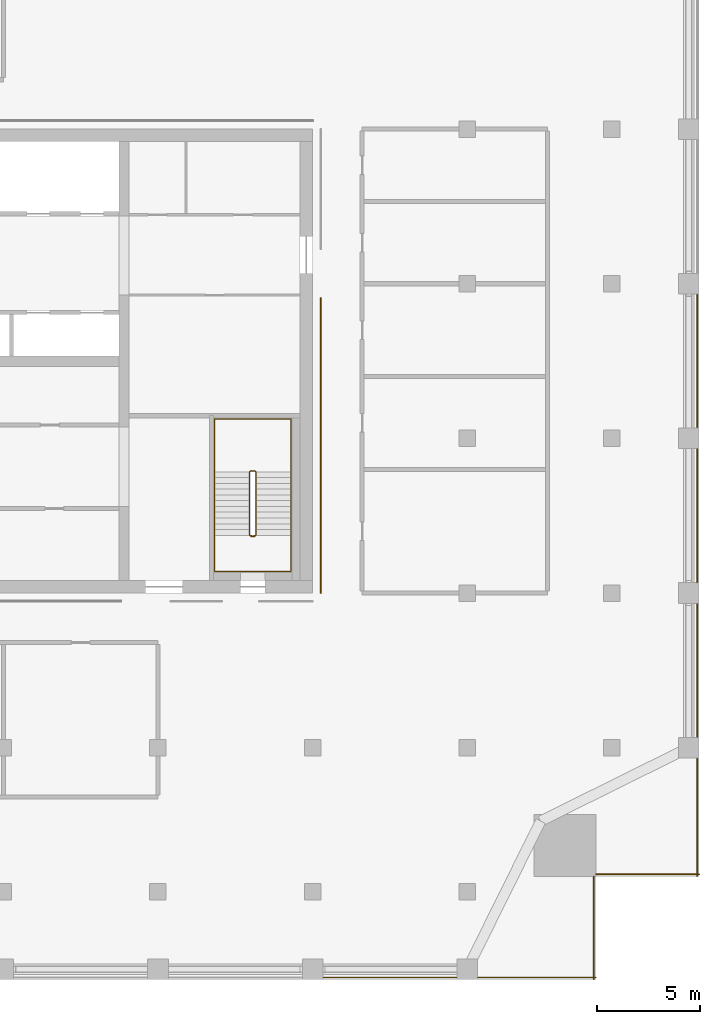
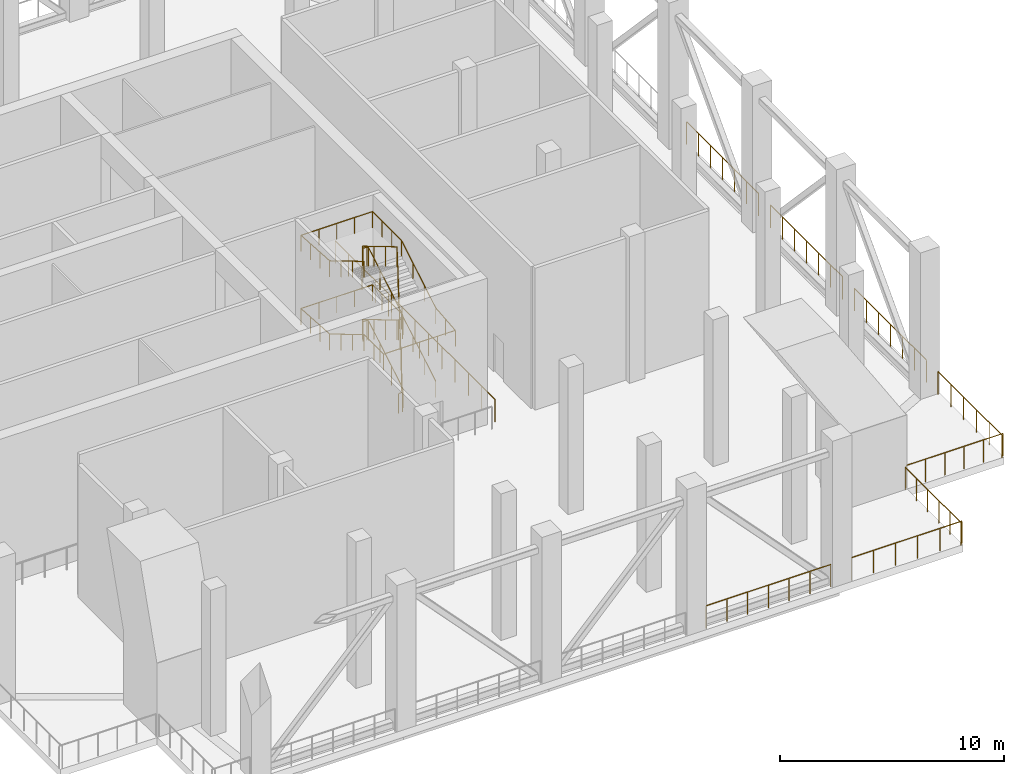
# One storey, part 9 of 11: 11 railings.
"""IFC4 building model written with IfcOpenShell, lengths in metres."""

import ifcopenshell
import ifcopenshell.guid

model = None  # the IFC model being written
_history = None  # IfcOwnerHistory: only IFC2X3 demands one
_inside = {}  # id of a spatial element -> (the spatial element, [elements in it])
_under = {}  # id of a project, library or spatial element -> (it, [spatial elements below it])
_declared = {}  # id of a project -> (the project, [libraries it declares])
_typed = {}  # id of a type object -> (the type object, [elements of that type])
_made_of = {}  # id of a material, layer set ... -> (it, [elements and type objects made of it])


def new_model(schema):
    """Start an empty IFC model of exactly this schema.

    Asked for "IFC4X3", IfcOpenShell would pick the latest addendum, in which some entities
    have other attributes; the version numbers below select the first issue.
    IFC2X3 requires an IfcOwnerHistory on every rooted entity: one is made here for all.
    """
    global model, _history
    if schema == "IFC4X3":
        model = ifcopenshell.file(schema_version=(4, 3, 0, 0))
    else:
        model = ifcopenshell.file(schema=schema)
    _inside.clear()
    _under.clear()
    _declared.clear()
    _typed.clear()
    _made_of.clear()
    _history = None
    if model.schema == "IFC2X3":
        org = make("IfcOrganization", Name="unknown")
        user = make(
            "IfcPersonAndOrganization",
            ThePerson=make("IfcPerson", FamilyName="unknown"),
            TheOrganization=org,
        )
        app = make(
            "IfcApplication",
            ApplicationDeveloper=org,
            Version="unknown",
            ApplicationFullName="unknown",
            ApplicationIdentifier="unknown",
        )
        _history = make(
            "IfcOwnerHistory",
            OwningUser=user,
            OwningApplication=app,
            ChangeAction="ADDED",
            CreationDate=0,
        )
    return model


def make(cls, **values):
    """One entity of the class cls with the attributes given. An attribute that is None is left unset."""
    return model.create_entity(
        cls, **{name: value for name, value in values.items() if value is not None}
    )


def rooted(cls, **values):
    """An entity with a GlobalId (a new one), such as an element, a storey or a relation."""
    return make(cls, GlobalId=ifcopenshell.guid.new(), OwnerHistory=_history, **values)


def si_unit(unit_type, name, prefix=None):
    """IfcSIUnit, for example si_unit("LENGTHUNIT", "METRE", prefix="MILLI")."""
    return make("IfcSIUnit", UnitType=unit_type, Prefix=prefix, Name=name)


def assignment(units):
    """IfcUnitAssignment: the units of a project."""
    return None if units is None else make("IfcUnitAssignment", Units=units)


def point(xyz):
    """IfcCartesianPoint."""
    return None if xyz is None else make("IfcCartesianPoint", Coordinates=xyz)


def direction(xyz):
    """IfcDirection."""
    return None if xyz is None else make("IfcDirection", DirectionRatios=xyz)


def frame(location, z_axis=None, x_axis=None):
    """IfcAxis2Placement3D, a coordinate frame: its origin and axes. An axis left out is left unset."""
    return make(
        "IfcAxis2Placement3D",
        Location=point(location),
        Axis=direction(z_axis),
        RefDirection=direction(x_axis),
    )


def frame_2d(location, x_axis=None):
    """IfcAxis2Placement2D, a coordinate frame in the plane: its origin and x axis."""
    return make(
        "IfcAxis2Placement2D", Location=point(location), RefDirection=direction(x_axis)
    )


def origin():
    """The frame at (0, 0, 0) with its axes left unset."""
    return frame((0.0, 0.0, 0.0))


def origin_2d():
    """The frame at (0, 0) in the plane with its x axis left unset."""
    return frame_2d((0.0, 0.0))


def place(relative_to, where):
    """IfcLocalPlacement: puts the frame where relative to a parent placement (None: the world)."""
    return make(
        "IfcLocalPlacement", PlacementRelTo=relative_to, RelativePlacement=where
    )


def context(
    kind, dimensions, precision=None, world=None, true_north=None, identifier=None
):
    """IfcGeometricRepresentationContext, for example the 3D "Model" context."""
    return make(
        "IfcGeometricRepresentationContext",
        ContextIdentifier=identifier,
        ContextType=kind,
        CoordinateSpaceDimension=dimensions,
        Precision=precision,
        WorldCoordinateSystem=world,
        TrueNorth=true_north,
    )


def subcontext(parent, identifier, kind, view, scale=None):
    """IfcGeometricRepresentationSubContext, for example "Body" below "Model"."""
    return make(
        "IfcGeometricRepresentationSubContext",
        ContextIdentifier=identifier,
        ContextType=kind,
        ParentContext=parent,
        TargetScale=scale,
        TargetView=view,
    )


def project(units=None, contexts=None):
    """IfcProject with its units and contexts."""
    return rooted(
        "IfcProject",
        Name="project",
        RepresentationContexts=contexts,
        UnitsInContext=assignment(units),
    )


def spatial(cls, under=None, at=None, **own):
    """A site, building, storey or space (cls), placed at a placement, below another one or the project."""
    s = rooted(cls, ObjectPlacement=at, **own)
    if under is not None:
        _under.setdefault(under.id(), (under, []))[1].append(s)
    return s


def profile(cls, at=None, kind="AREA", **sizes):
    """A parametric profile (cls). Its sizes go by their IFC names, for example OverallWidth=200.0."""
    return make(cls, ProfileType=kind, Position=at, **sizes)


def circle(**sizes):
    """IfcCircleProfileDef."""
    return profile("IfcCircleProfileDef", **sizes)


def extrude(swept, where, along, depth):
    """IfcExtrudedAreaSolid: the profile swept, set in the frame where, extruded along a direction by depth."""
    return make(
        "IfcExtrudedAreaSolid",
        SweptArea=swept,
        Position=where,
        ExtrudedDirection=direction(along),
        Depth=depth,
    )


def shape(context_of_items, identifier, shape_type, items):
    """IfcShapeRepresentation: the items that make up one representation, for example the "Body"."""
    return make(
        "IfcShapeRepresentation",
        ContextOfItems=context_of_items,
        RepresentationIdentifier=identifier,
        RepresentationType=shape_type,
        Items=items,
    )


def material(Name=None, Category=None):
    """IfcMaterial."""
    return make("IfcMaterial", Name=Name, Category=Category)


def made_of(thing, what):
    """Note that an element or type object is made of a material, layer set ...; save() writes the relation."""
    if what is not None:
        _made_of.setdefault(what.id(), (what, []))[1].append(thing)
    return thing


def type_object(cls, material=None, **own):
    """A type object (cls), such as IfcWallType, which elements share."""
    return made_of(rooted(cls, **own), material)


def element(
    cls,
    number,
    at=None,
    inside=None,
    cuts=None,
    type_object=None,
    material=None,
    context=None,
    identifier="Body",
    shape_type=None,
    held_by="IfcProductDefinitionShape",
    body=None,
    shapes=None,
    **own,
):
    """One element of the class cls, such as IfcWall. Its Tag is "e" and its number.

    at: its placement. inside: the storey or other place that contains it. cuts: it is an
    opening in that element (IfcRelVoidsElement). A single representation is given by context,
    identifier, shape_type and body (its items); several are given by shapes. held_by: the class
    of the entity that holds the representations. save() writes the other relations.
    """
    e = rooted(cls, Tag="e%d" % number, ObjectPlacement=at, **own)
    if body is not None:
        shapes = [shape(context, identifier, shape_type, body)]
    if shapes is not None:
        e.Representation = make(held_by, Representations=shapes)
    if inside is not None:
        _inside.setdefault(inside.id(), (inside, []))[1].append(e)
    if cuts is not None:
        rooted(
            "IfcRelVoidsElement", RelatingBuildingElement=cuts, RelatedOpeningElement=e
        )
    if type_object is not None:
        _typed.setdefault(type_object.id(), (type_object, []))[1].append(e)
    return made_of(e, material)


def aggregate(whole, parts):
    """IfcRelAggregates: a whole, such as a stair, and the parts it consists of."""
    return rooted("IfcRelAggregates", RelatingObject=whole, RelatedObjects=parts)


def save(model, path):
    """Write the relations noted so far, then the file.

    IfcRelAggregates (storeys below a building ...), IfcRelContainedInSpatialStructure (elements
    in a storey), IfcRelDefinesByType, IfcRelAssociatesMaterial and IfcRelDeclares: one each for
    every whole, place, type object, material and project.
    """
    for whole, parts in _under.values():
        aggregate(whole, parts)
    for where, things in _inside.values():
        rooted(
            "IfcRelContainedInSpatialStructure",
            RelatedElements=things,
            RelatingStructure=where,
        )
    for kind, things in _typed.values():
        rooted("IfcRelDefinesByType", RelatedObjects=things, RelatingType=kind)
    for what, things in _made_of.values():
        rooted("IfcRelAssociatesMaterial", RelatedObjects=things, RelatingMaterial=what)
    for by, libraries in _declared.values():
        rooted("IfcRelDeclares", RelatingContext=by, RelatedDefinitions=libraries)
    model.write(path)


model = new_model("IFC4")

# Units and contexts
model_context = context("Model", 3, precision=1e-05, world=origin(), true_north=direction((0.0, 1.0)))
body_context = subcontext(model_context, "Body", "Model", "MODEL_VIEW")
ifc_project = project(units=[si_unit("LENGTHUNIT", "METRE"), si_unit("AREAUNIT", "SQUARE_METRE"), si_unit("VOLUMEUNIT", "CUBIC_METRE"), si_unit("PLANEANGLEUNIT", "RADIAN"), si_unit("MASSUNIT", "GRAM", prefix="KILO")], contexts=[model_context])

# Site, building, storey
site_placement = place(None, origin())
site = spatial("IfcSite", under=ifc_project, at=site_placement, CompositionType="ELEMENT")
building_placement = place(site_placement, origin())
building = spatial("IfcBuilding", under=site, at=building_placement, Name="Tamorin Gate", CompositionType="ELEMENT")
storey_placement = place(building_placement, frame((0.0, 0.0, 258.199951171875)))
storey = spatial("IfcBuildingStorey", under=building, at=storey_placement, Name="L65", CompositionType="ELEMENT", Elevation=258.199951171875)

# Railings
ifc_material_1 = material(Name="Painted steel balustrade", Category="steel")
railing_type_1 = type_object("IfcRailingType", Name="Stair guard 1100", PredefinedType="GUARDRAIL", material=ifc_material_1)
railing_1_placement = place(storey_placement, frame((57.25, 62.800048828125, 0.166748046875)))
element("IfcRailing", 1, at=railing_1_placement, inside=storey, type_object=railing_type_1, Name="L65 ST3 stair guard 1", PredefinedType="GUARDRAIL", context=body_context, shape_type="SweptSolid", body=[
    extrude(circle(Radius=0.02392578125, at=origin_2d()), frame((0.0, 0.0, 1.076171875), z_axis=(0.0, 0.859290745958, 0.51148745235), x_axis=(-1.0, 0.0, 0.0)), (0.0, 0.0, 1.0), 3.584228515625),
    extrude(circle(Radius=0.02392578125, at=origin_2d()), frame((0.0, 3.079833984375, 2.9091796875), z_axis=(-0.707106781187, 0.707106781187, 0.0), x_axis=(-0.707106781187, -0.707106781187, 0.0)), (0.0, 0.0, 1.0), 0.07080078125),
    extrude(circle(Radius=0.02392578125, at=origin_2d()), frame((-0.050048828125, 3.1298828125, 2.9091796875), z_axis=(-1.0, 0.0, 0.0), x_axis=(0.0, -1.0, 0.0)), (0.0, 0.0, 1.0), 0.199951171875),
    extrude(circle(Radius=0.02392578125, at=origin_2d()), frame((-0.25, 3.1298828125, 2.9091796875), z_axis=(-0.27628659633, -0.27628659633, 0.920506074601), x_axis=(0.707106781187, -0.707106781187, 0.0)), (0.0, 0.0, 1.0), 0.18115234375),
    extrude(circle(Radius=0.02392578125, at=origin_2d()), frame((-0.300048828125, 3.079833984375, 3.076171875), z_axis=(0.0, -0.859290745958, 0.51148745235), x_axis=(1.0, 0.0, 0.0)), (0.0, 0.0, 1.0), 3.584228515625),
    extrude(circle(Radius=0.02392578125, at=origin_2d()), frame((-0.300048828125, 0.0, 4.9091796875), z_axis=(0.98054382908, -0.196300278283, 0.0), x_axis=(0.196300278283, 0.98054382908, 0.0)), (0.0, 0.0, 1.0), 0.2548828125),
    extrude(circle(Radius=0.02392578125, at=origin_2d()), frame((-0.050048828125, -0.050048828125, 4.9091796875), z_axis=(-1.0, 0.0, 0.0), x_axis=(0.0, -1.0, 0.0)), (0.0, 0.0, 1.0), 0.199951171875),
    extrude(circle(Radius=0.02392578125, at=origin_2d()), frame((-0.25, -0.050048828125, 4.9091796875), z_axis=(0.820621892478, 0.164284656209, 0.547348391174), x_axis=(-0.196300278283, 0.98054382908, 0.0)), (0.0, 0.0, 1.0), 0.3046875),
    extrude(circle(Radius=0.02392578125, at=origin_2d()), frame((0.0, 0.0, 5.076171875), z_axis=(0.0, 0.859290745958, 0.51148745235), x_axis=(-1.0, 0.0, 0.0)), (0.0, 0.0, 1.0), 3.584228515625),
    extrude(circle(Radius=0.02392578125, at=origin_2d()), frame((0.0, 3.079833984375, 6.9091796875), z_axis=(-0.707106781187, 0.707106781187, 0.0), x_axis=(-0.707106781187, -0.707106781187, 0.0)), (0.0, 0.0, 1.0), 0.07080078125),
    extrude(circle(Radius=0.02392578125, at=origin_2d()), frame((-0.050048828125, 3.1298828125, 6.9091796875), z_axis=(-1.0, 0.0, 0.0), x_axis=(0.0, -1.0, 0.0)), (0.0, 0.0, 1.0), 0.199951171875),
    extrude(circle(Radius=0.02392578125, at=origin_2d()), frame((-0.25, 3.1298828125, 6.9091796875), z_axis=(-0.27628659633, -0.27628659633, 0.920506074601), x_axis=(0.707106781187, -0.707106781187, 0.0)), (0.0, 0.0, 1.0), 0.18115234375),
    extrude(circle(Radius=0.02392578125, at=origin_2d()), frame((-0.300048828125, 3.079833984375, 7.076171875), z_axis=(0.0, -0.859290745958, 0.51148745235), x_axis=(1.0, 0.0, 0.0)), (0.0, 0.0, 1.0), 3.584228515625),
    extrude(circle(Radius=0.02392578125, at=origin_2d()), frame((-0.300048828125, 0.0, 8.9091796875), z_axis=(0.031234141746, -0.006252928768, -0.999492535876), x_axis=(0.196300278283, 0.98054382908, 0.0)), (0.0, 0.0, 1.0), 8.004150390625),
    extrude(circle(Radius=0.02392578125, at=origin_2d()), frame((-0.050048828125, -0.050048828125, 0.9091796875), z_axis=(-1.0, 0.0, 0.0), x_axis=(0.0, -1.0, 0.0)), (0.0, 0.0, 1.0), 0.199951171875),
    extrude(circle(Radius=0.02099609375, at=origin_2d()), origin(), (0.0, 0.0, 1.0), 1.052001953125),
    extrude(circle(Radius=0.02099609375, at=origin_2d()), frame((0.0, 1.026611328125, 0.611083984375)), (0.0, 0.0, 1.0), 1.052001953125),
    extrude(circle(Radius=0.02099609375, at=origin_2d()), frame((0.0, 2.05322265625, 1.22216796875)), (0.0, 0.0, 1.0), 1.052001953125),
    extrude(circle(Radius=0.02099609375, at=origin_2d()), frame((0.0, 3.079833984375, 1.833251953125)), (0.0, 0.0, 1.0), 1.052001953125),
    extrude(circle(Radius=0.02099609375, at=origin_2d()), frame((-0.050048828125, 3.1298828125, 1.833251953125)), (0.0, 0.0, 1.0), 1.052001953125),
    extrude(circle(Radius=0.02099609375, at=origin_2d()), frame((-0.25, 3.1298828125, 1.833251953125)), (0.0, 0.0, 1.0), 1.052001953125),
    extrude(circle(Radius=0.02099609375, at=origin_2d()), frame((-0.300048828125, 3.079833984375, 2.0)), (0.0, 0.0, 1.0), 1.052001953125),
    extrude(circle(Radius=0.02099609375, at=origin_2d()), frame((-0.300048828125, 2.05322265625, 2.611083984375)), (0.0, 0.0, 1.0), 1.052001953125),
    extrude(circle(Radius=0.02099609375, at=origin_2d()), frame((-0.300048828125, 1.026611328125, 3.22216796875)), (0.0, 0.0, 1.0), 1.052001953125),
    extrude(circle(Radius=0.02099609375, at=origin_2d()), frame((-0.300048828125, 0.0, 3.833251953125)), (0.0, 0.0, 1.0), 1.052001953125),
    extrude(circle(Radius=0.02099609375, at=origin_2d()), frame((-0.050048828125, -0.050048828125, 3.833251953125)), (0.0, 0.0, 1.0), 1.052001953125),
    extrude(circle(Radius=0.02099609375, at=origin_2d()), frame((-0.25, -0.050048828125, 3.833251953125)), (0.0, 0.0, 1.0), 1.052001953125),
    extrude(circle(Radius=0.02099609375, at=origin_2d()), frame((0.0, 0.0, 4.0)), (0.0, 0.0, 1.0), 1.052001953125),
    extrude(circle(Radius=0.02099609375, at=origin_2d()), frame((0.0, 1.026611328125, 4.611083984375)), (0.0, 0.0, 1.0), 1.052001953125),
    extrude(circle(Radius=0.02099609375, at=origin_2d()), frame((0.0, 2.05322265625, 5.22216796875)), (0.0, 0.0, 1.0), 1.052001953125),
    extrude(circle(Radius=0.02099609375, at=origin_2d()), frame((0.0, 3.079833984375, 5.833251953125)), (0.0, 0.0, 1.0), 1.052001953125),
    extrude(circle(Radius=0.02099609375, at=origin_2d()), frame((-0.050048828125, 3.1298828125, 5.833251953125)), (0.0, 0.0, 1.0), 1.052001953125),
    extrude(circle(Radius=0.02099609375, at=origin_2d()), frame((-0.25, 3.1298828125, 5.833251953125)), (0.0, 0.0, 1.0), 1.052001953125),
    extrude(circle(Radius=0.02099609375, at=origin_2d()), frame((-0.300048828125, 3.079833984375, 6.0)), (0.0, 0.0, 1.0), 1.052001953125),
    extrude(circle(Radius=0.02099609375, at=origin_2d()), frame((-0.300048828125, 2.05322265625, 6.611083984375)), (0.0, 0.0, 1.0), 1.052001953125),
    extrude(circle(Radius=0.02099609375, at=origin_2d()), frame((-0.300048828125, 1.026611328125, 7.22216796875)), (0.0, 0.0, 1.0), 1.052001953125),
    extrude(circle(Radius=0.02099609375, at=origin_2d()), frame((-0.300048828125, 0.0, 7.833251953125)), (0.0, 0.0, 1.0), 1.052001953125),
    extrude(circle(Radius=0.02099609375, at=origin_2d()), frame((-0.264404296875, -0.007080078125, 6.6904296875)), (0.0, 0.0, 1.0), 1.052001953125),
    extrude(circle(Radius=0.02099609375, at=origin_2d()), frame((-0.228515625, -0.014404296875, 5.547607421875)), (0.0, 0.0, 1.0), 1.052001953125),
    extrude(circle(Radius=0.02099609375, at=origin_2d()), frame((-0.19287109375, -0.021484375, 4.40478515625)), (0.0, 0.0, 1.0), 1.052001953125),
    extrude(circle(Radius=0.02099609375, at=origin_2d()), frame((-0.1572265625, -0.028564453125, 3.26171875)), (0.0, 0.0, 1.0), 1.052001953125),
    extrude(circle(Radius=0.02099609375, at=origin_2d()), frame((-0.12158203125, -0.03564453125, 2.118896484375)), (0.0, 0.0, 1.0), 1.052001953125),
    extrude(circle(Radius=0.02099609375, at=origin_2d()), frame((-0.085693359375, -0.04296875, 0.97607421875)), (0.0, 0.0, 1.0), 1.052001953125),
    extrude(circle(Radius=0.02099609375, at=origin_2d()), frame((-0.050048828125, -0.050048828125, -0.166748046875)), (0.0, 0.0, 1.0), 1.052001953125),
    extrude(circle(Radius=0.02099609375, at=origin_2d()), frame((-0.25, -0.050048828125, -0.166748046875)), (0.0, 0.0, 1.0), 1.052001953125),
])
ifc_material_2 = material(Name="Painted steel handrail", Category="steel")
railing_type_2 = type_object("IfcRailingType", Name="Stair handrail 900", PredefinedType="HANDRAIL", material=ifc_material_2)
railing_2_placement = place(storey_placement, frame((58.949951171875, 62.800048828125, 0.166748046875)))
element("IfcRailing", 2, at=railing_2_placement, inside=storey, type_object=railing_type_2, Name="L65 ST3 stair handrail 1", PredefinedType="HANDRAIL", context=body_context, shape_type="SweptSolid", body=[
    extrude(circle(Radius=0.02392578125, at=origin_2d()), frame((0.0, 0.0, 0.8759765625), z_axis=(0.0, 0.859290745958, 0.51148745235), x_axis=(-1.0, 0.0, 0.0)), (0.0, 0.0, 1.0), 3.584228515625),
    extrude(circle(Radius=0.02392578125, at=origin_2d()), frame((0.0, 3.079833984375, 2.708984375), z_axis=(0.0, 1.0, 0.0), x_axis=(-1.0, 0.0, 0.0)), (0.0, 0.0, 1.0), 2.570068359375),
    extrude(circle(Radius=0.02392578125, at=origin_2d()), frame((0.0, 5.64990234375, 2.708984375), z_axis=(-1.0, 0.0, 0.0), x_axis=(0.0, -1.0, 0.0)), (0.0, 0.0, 1.0), 3.699951171875),
    extrude(circle(Radius=0.02392578125, at=origin_2d()), frame((-3.699951171875, 5.64990234375, 2.708984375), z_axis=(0.0, -0.9979018638, 0.06474465403), x_axis=(1.0, 0.0, 0.0)), (0.0, 0.0, 1.0), 2.575439453125),
    extrude(circle(Radius=0.02392578125, at=origin_2d()), frame((-3.699951171875, 3.079833984375, 2.8759765625), z_axis=(0.0, -0.859290745958, 0.51148745235), x_axis=(1.0, 0.0, 0.0)), (0.0, 0.0, 1.0), 3.584228515625),
    extrude(circle(Radius=0.02392578125, at=origin_2d()), frame((-3.699951171875, 0.0, 4.708984375), z_axis=(0.0, -1.0, 0.0), x_axis=(1.0, 0.0, 0.0)), (0.0, 0.0, 1.0), 1.75),
    extrude(circle(Radius=0.02392578125, at=origin_2d()), frame((-3.699951171875, -1.75, 4.708984375), z_axis=(1.0, 0.0, 0.0), x_axis=(0.0, 1.0, 0.0)), (0.0, 0.0, 1.0), 3.699951171875),
    extrude(circle(Radius=0.02392578125, at=origin_2d()), frame((0.0, -1.75, 4.708984375), z_axis=(0.0, 0.995491102282, 0.094854969707), x_axis=(-1.0, 0.0, 0.0)), (0.0, 0.0, 1.0), 1.7578125),
    extrude(circle(Radius=0.02392578125, at=origin_2d()), frame((0.0, 0.0, 4.8759765625), z_axis=(0.0, 0.859290745958, 0.51148745235), x_axis=(-1.0, 0.0, 0.0)), (0.0, 0.0, 1.0), 3.584228515625),
    extrude(circle(Radius=0.02392578125, at=origin_2d()), frame((0.0, 3.079833984375, 6.708984375), z_axis=(0.0, 1.0, 0.0), x_axis=(-1.0, 0.0, 0.0)), (0.0, 0.0, 1.0), 2.570068359375),
    extrude(circle(Radius=0.02392578125, at=origin_2d()), frame((0.0, 5.64990234375, 6.708984375), z_axis=(-1.0, 0.0, 0.0), x_axis=(0.0, -1.0, 0.0)), (0.0, 0.0, 1.0), 3.699951171875),
    extrude(circle(Radius=0.02392578125, at=origin_2d()), frame((-3.699951171875, 5.64990234375, 6.708984375), z_axis=(0.0, -0.9979018638, 0.06474465403), x_axis=(1.0, 0.0, 0.0)), (0.0, 0.0, 1.0), 2.575439453125),
    extrude(circle(Radius=0.02392578125, at=origin_2d()), frame((-3.699951171875, 3.079833984375, 6.8759765625), z_axis=(0.0, -0.859290745958, 0.51148745235), x_axis=(1.0, 0.0, 0.0)), (0.0, 0.0, 1.0), 3.584228515625),
    extrude(circle(Radius=0.02099609375, at=origin_2d()), origin(), (0.0, 0.0, 1.0), 0.851806640625),
    extrude(circle(Radius=0.02099609375, at=origin_2d()), frame((0.0, 1.026611328125, 0.611083984375)), (0.0, 0.0, 1.0), 0.851806640625),
    extrude(circle(Radius=0.02099609375, at=origin_2d()), frame((0.0, 2.05322265625, 1.22216796875)), (0.0, 0.0, 1.0), 0.851806640625),
    extrude(circle(Radius=0.02099609375, at=origin_2d()), frame((0.0, 3.079833984375, 1.833251953125)), (0.0, 0.0, 1.0), 0.851806640625),
    extrude(circle(Radius=0.02099609375, at=origin_2d()), frame((0.0, 3.9365234375, 1.833251953125)), (0.0, 0.0, 1.0), 0.851806640625),
    extrude(circle(Radius=0.02099609375, at=origin_2d()), frame((0.0, 4.793212890625, 1.833251953125)), (0.0, 0.0, 1.0), 0.851806640625),
    extrude(circle(Radius=0.02099609375, at=origin_2d()), frame((0.0, 5.64990234375, 1.833251953125)), (0.0, 0.0, 1.0), 0.851806640625),
    extrude(circle(Radius=0.02099609375, at=origin_2d()), frame((-0.925048828125, 5.64990234375, 1.833251953125)), (0.0, 0.0, 1.0), 0.851806640625),
    extrude(circle(Radius=0.02099609375, at=origin_2d()), frame((-1.85009765625, 5.64990234375, 1.833251953125)), (0.0, 0.0, 1.0), 0.851806640625),
    extrude(circle(Radius=0.02099609375, at=origin_2d()), frame((-2.77490234375, 5.64990234375, 1.833251953125)), (0.0, 0.0, 1.0), 0.851806640625),
    extrude(circle(Radius=0.02099609375, at=origin_2d()), frame((-3.699951171875, 5.64990234375, 1.833251953125)), (0.0, 0.0, 1.0), 0.851806640625),
    extrude(circle(Radius=0.02099609375, at=origin_2d()), frame((-3.699951171875, 4.793212890625, 1.888916015625)), (0.0, 0.0, 1.0), 0.851806640625),
    extrude(circle(Radius=0.02099609375, at=origin_2d()), frame((-3.699951171875, 3.9365234375, 1.9443359375)), (0.0, 0.0, 1.0), 0.851806640625),
    extrude(circle(Radius=0.02099609375, at=origin_2d()), frame((-3.699951171875, 3.079833984375, 2.0)), (0.0, 0.0, 1.0), 0.851806640625),
    extrude(circle(Radius=0.02099609375, at=origin_2d()), frame((-3.699951171875, 2.05322265625, 2.611083984375)), (0.0, 0.0, 1.0), 0.851806640625),
    extrude(circle(Radius=0.02099609375, at=origin_2d()), frame((-3.699951171875, 1.026611328125, 3.22216796875)), (0.0, 0.0, 1.0), 0.851806640625),
    extrude(circle(Radius=0.02099609375, at=origin_2d()), frame((-3.699951171875, 0.0, 3.833251953125)), (0.0, 0.0, 1.0), 0.851806640625),
    extrude(circle(Radius=0.02099609375, at=origin_2d()), frame((-3.699951171875, -0.875, 3.833251953125)), (0.0, 0.0, 1.0), 0.851806640625),
    extrude(circle(Radius=0.02099609375, at=origin_2d()), frame((-3.699951171875, -1.75, 3.833251953125)), (0.0, 0.0, 1.0), 0.851806640625),
    extrude(circle(Radius=0.02099609375, at=origin_2d()), frame((-2.77490234375, -1.75, 3.833251953125)), (0.0, 0.0, 1.0), 0.851806640625),
    extrude(circle(Radius=0.02099609375, at=origin_2d()), frame((-1.85009765625, -1.75, 3.833251953125)), (0.0, 0.0, 1.0), 0.851806640625),
    extrude(circle(Radius=0.02099609375, at=origin_2d()), frame((-0.925048828125, -1.75, 3.833251953125)), (0.0, 0.0, 1.0), 0.851806640625),
    extrude(circle(Radius=0.02099609375, at=origin_2d()), frame((0.0, -1.75, 3.833251953125)), (0.0, 0.0, 1.0), 0.851806640625),
    extrude(circle(Radius=0.02099609375, at=origin_2d()), frame((0.0, -0.875, 3.91650390625)), (0.0, 0.0, 1.0), 0.851806640625),
    extrude(circle(Radius=0.02099609375, at=origin_2d()), frame((0.0, 0.0, 4.0)), (0.0, 0.0, 1.0), 0.851806640625),
    extrude(circle(Radius=0.02099609375, at=origin_2d()), frame((0.0, 1.026611328125, 4.611083984375)), (0.0, 0.0, 1.0), 0.851806640625),
    extrude(circle(Radius=0.02099609375, at=origin_2d()), frame((0.0, 2.05322265625, 5.22216796875)), (0.0, 0.0, 1.0), 0.851806640625),
    extrude(circle(Radius=0.02099609375, at=origin_2d()), frame((0.0, 3.079833984375, 5.833251953125)), (0.0, 0.0, 1.0), 0.851806640625),
    extrude(circle(Radius=0.02099609375, at=origin_2d()), frame((0.0, 3.9365234375, 5.833251953125)), (0.0, 0.0, 1.0), 0.851806640625),
    extrude(circle(Radius=0.02099609375, at=origin_2d()), frame((0.0, 4.793212890625, 5.833251953125)), (0.0, 0.0, 1.0), 0.851806640625),
    extrude(circle(Radius=0.02099609375, at=origin_2d()), frame((0.0, 5.64990234375, 5.833251953125)), (0.0, 0.0, 1.0), 0.851806640625),
    extrude(circle(Radius=0.02099609375, at=origin_2d()), frame((-0.925048828125, 5.64990234375, 5.833251953125)), (0.0, 0.0, 1.0), 0.851806640625),
    extrude(circle(Radius=0.02099609375, at=origin_2d()), frame((-1.85009765625, 5.64990234375, 5.833251953125)), (0.0, 0.0, 1.0), 0.851806640625),
    extrude(circle(Radius=0.02099609375, at=origin_2d()), frame((-2.77490234375, 5.64990234375, 5.833251953125)), (0.0, 0.0, 1.0), 0.851806640625),
    extrude(circle(Radius=0.02099609375, at=origin_2d()), frame((-3.699951171875, 5.64990234375, 5.833251953125)), (0.0, 0.0, 1.0), 0.851806640625),
    extrude(circle(Radius=0.02099609375, at=origin_2d()), frame((-3.699951171875, 4.793212890625, 5.888916015625)), (0.0, 0.0, 1.0), 0.851806640625),
    extrude(circle(Radius=0.02099609375, at=origin_2d()), frame((-3.699951171875, 3.9365234375, 5.9443359375)), (0.0, 0.0, 1.0), 0.851806640625),
    extrude(circle(Radius=0.02099609375, at=origin_2d()), frame((-3.699951171875, 3.079833984375, 6.0)), (0.0, 0.0, 1.0), 0.851806640625),
    extrude(circle(Radius=0.02099609375, at=origin_2d()), frame((-3.699951171875, 2.05322265625, 6.611083984375)), (0.0, 0.0, 1.0), 0.851806640625),
    extrude(circle(Radius=0.02099609375, at=origin_2d()), frame((-3.699951171875, 1.026611328125, 7.22216796875)), (0.0, 0.0, 1.0), 0.851806640625),
    extrude(circle(Radius=0.02099609375, at=origin_2d()), frame((-3.699951171875, 0.0, 7.833251953125)), (0.0, 0.0, 1.0), 0.851806640625),
])
ifc_material_3 = material(Name="Stainless steel", Category="steel")
railing_type_3 = type_object("IfcRailingType", Name="Wind floor guard 1250", PredefinedType="GUARDRAIL", material=ifc_material_3)
railing_3_placement = place(storey_placement, frame((60.530029296875, 41.35009765625, 0.0)))
element("IfcRailing", 3, at=railing_3_placement, inside=storey, type_object=railing_type_3, Name="Open edge guard", PredefinedType="GUARDRAIL", context=body_context, shape_type="SweptSolid", body=[
    extrude(circle(Radius=0.02392578125, at=origin_2d()), frame((0.0, 0.0, 1.22607421875), z_axis=(1.0, 0.0, 0.0), x_axis=(0.0, 1.0, 0.0)), (0.0, 0.0, 1.0), 6.43994140625),
    extrude(circle(Radius=0.02099609375, at=origin_2d()), origin(), (0.0, 0.0, 1.0), 1.201904296875),
    extrude(circle(Radius=0.02099609375, at=origin_2d()), frame((1.0732421875, 0.0, 0.0)), (0.0, 0.0, 1.0), 1.201904296875),
    extrude(circle(Radius=0.02099609375, at=origin_2d()), frame((2.146728515625, 0.0, 0.0)), (0.0, 0.0, 1.0), 1.201904296875),
    extrude(circle(Radius=0.02099609375, at=origin_2d()), frame((3.219970703125, 0.0, 0.0)), (0.0, 0.0, 1.0), 1.201904296875),
    extrude(circle(Radius=0.02099609375, at=origin_2d()), frame((4.293212890625, 0.0, 0.0)), (0.0, 0.0, 1.0), 1.201904296875),
    extrude(circle(Radius=0.02099609375, at=origin_2d()), frame((5.36669921875, 0.0, 0.0)), (0.0, 0.0, 1.0), 1.201904296875),
    extrude(circle(Radius=0.02099609375, at=origin_2d()), frame((6.43994140625, 0.0, 0.0)), (0.0, 0.0, 1.0), 1.201904296875),
])
railing_4_placement = place(storey_placement, frame((68.030029296875, 41.35009765625, 0.0)))
element("IfcRailing", 4, at=railing_4_placement, inside=storey, type_object=railing_type_3, Name="Open edge guard", PredefinedType="GUARDRAIL", context=body_context, shape_type="SweptSolid", body=[
    extrude(circle(Radius=0.02392578125, at=origin_2d()), frame((0.0, 0.0, 1.22607421875), z_axis=(1.0, 0.0, 0.0), x_axis=(0.0, 1.0, 0.0)), (0.0, 0.0, 1.0), 5.719970703125),
    extrude(circle(Radius=0.02099609375, at=origin_2d()), origin(), (0.0, 0.0, 1.0), 1.201904296875),
    extrude(circle(Radius=0.02099609375, at=origin_2d()), frame((1.14404296875, 0.0, 0.0)), (0.0, 0.0, 1.0), 1.201904296875),
    extrude(circle(Radius=0.02099609375, at=origin_2d()), frame((2.2880859375, 0.0, 0.0)), (0.0, 0.0, 1.0), 1.201904296875),
    extrude(circle(Radius=0.02099609375, at=origin_2d()), frame((3.431884765625, 0.0, 0.0)), (0.0, 0.0, 1.0), 1.201904296875),
    extrude(circle(Radius=0.02099609375, at=origin_2d()), frame((4.575927734375, 0.0, 0.0)), (0.0, 0.0, 1.0), 1.201904296875),
    extrude(circle(Radius=0.02099609375, at=origin_2d()), frame((5.719970703125, 0.0, 0.0)), (0.0, 0.0, 1.0), 1.201904296875),
])
railing_5_placement = place(storey_placement, frame((73.64990234375, 41.25, 0.0)))
element("IfcRailing", 5, at=railing_5_placement, inside=storey, type_object=railing_type_3, Name="Open edge guard", PredefinedType="GUARDRAIL", context=body_context, shape_type="SweptSolid", body=[
    extrude(circle(Radius=0.02392578125, at=origin_2d()), frame((0.0, 0.0, 1.22607421875), z_axis=(0.0, 1.0, 0.0), x_axis=(-1.0, 0.0, 0.0)), (0.0, 0.0, 1.0), 5.0),
    extrude(circle(Radius=0.02099609375, at=origin_2d()), origin(), (0.0, 0.0, 1.0), 1.201904296875),
    extrude(circle(Radius=0.02099609375, at=origin_2d()), frame((0.0, 1.0, 0.0)), (0.0, 0.0, 1.0), 1.201904296875),
    extrude(circle(Radius=0.02099609375, at=origin_2d()), frame((0.0, 2.0, 0.0)), (0.0, 0.0, 1.0), 1.201904296875),
    extrude(circle(Radius=0.02099609375, at=origin_2d()), frame((0.0, 3.0, 0.0)), (0.0, 0.0, 1.0), 1.201904296875),
    extrude(circle(Radius=0.02099609375, at=origin_2d()), frame((0.0, 4.0, 0.0)), (0.0, 0.0, 1.0), 1.201904296875),
    extrude(circle(Radius=0.02099609375, at=origin_2d()), frame((0.0, 5.0, 0.0)), (0.0, 0.0, 1.0), 1.201904296875),
])
railing_6_placement = place(storey_placement, frame((73.75, 46.35009765625, 0.0)))
element("IfcRailing", 6, at=railing_6_placement, inside=storey, type_object=railing_type_3, Name="Open edge guard", PredefinedType="GUARDRAIL", context=body_context, shape_type="SweptSolid", body=[
    extrude(circle(Radius=0.02392578125, at=origin_2d()), frame((0.0, 0.0, 1.22607421875), z_axis=(1.0, 0.0, 0.0), x_axis=(0.0, 1.0, 0.0)), (0.0, 0.0, 1.0), 5.0),
    extrude(circle(Radius=0.02099609375, at=origin_2d()), origin(), (0.0, 0.0, 1.0), 1.201904296875),
    extrude(circle(Radius=0.02099609375, at=origin_2d()), frame((1.0, 0.0, 0.0)), (0.0, 0.0, 1.0), 1.201904296875),
    extrude(circle(Radius=0.02099609375, at=origin_2d()), frame((2.0, 0.0, 0.0)), (0.0, 0.0, 1.0), 1.201904296875),
    extrude(circle(Radius=0.02099609375, at=origin_2d()), frame((3.0, 0.0, 0.0)), (0.0, 0.0, 1.0), 1.201904296875),
    extrude(circle(Radius=0.02099609375, at=origin_2d()), frame((4.0, 0.0, 0.0)), (0.0, 0.0, 1.0), 1.201904296875),
    extrude(circle(Radius=0.02099609375, at=origin_2d()), frame((5.0, 0.0, 0.0)), (0.0, 0.0, 1.0), 1.201904296875),
])
railing_7_placement = place(storey_placement, frame((78.64990234375, 46.25, 0.0)))
element("IfcRailing", 7, at=railing_7_placement, inside=storey, type_object=railing_type_3, Name="Open edge guard", PredefinedType="GUARDRAIL", context=body_context, shape_type="SweptSolid", body=[
    extrude(circle(Radius=0.02392578125, at=origin_2d()), frame((0.0, 0.0, 1.22607421875), z_axis=(0.0, 1.0, 0.0), x_axis=(-1.0, 0.0, 0.0)), (0.0, 0.0, 1.0), 5.719970703125),
    extrude(circle(Radius=0.02099609375, at=origin_2d()), origin(), (0.0, 0.0, 1.0), 1.201904296875),
    extrude(circle(Radius=0.02099609375, at=origin_2d()), frame((0.0, 1.14404296875, 0.0)), (0.0, 0.0, 1.0), 1.201904296875),
    extrude(circle(Radius=0.02099609375, at=origin_2d()), frame((0.0, 2.2880859375, 0.0)), (0.0, 0.0, 1.0), 1.201904296875),
    extrude(circle(Radius=0.02099609375, at=origin_2d()), frame((0.0, 3.431884765625, 0.0)), (0.0, 0.0, 1.0), 1.201904296875),
    extrude(circle(Radius=0.02099609375, at=origin_2d()), frame((0.0, 4.575927734375, 0.0)), (0.0, 0.0, 1.0), 1.201904296875),
    extrude(circle(Radius=0.02099609375, at=origin_2d()), frame((0.0, 5.719970703125, 0.0)), (0.0, 0.0, 1.0), 1.201904296875),
])
for number, where, name in (
    (8, (78.64990234375, 53.030029296875, 0.0), "Open edge guard"),
    (9, (78.64990234375, 60.530029296875, 0.0), "Open edge guard"),
    (10, (78.64990234375, 68.030029296875, 0.0), "Open edge guard"),
):
    element("IfcRailing", number, at=place(storey_placement, frame(where)), inside=storey, type_object=railing_type_3, Name=name, PredefinedType="GUARDRAIL", context=body_context, shape_type="SweptSolid", body=[
        extrude(circle(Radius=0.02392578125, at=origin_2d()), frame((0.0, 0.0, 1.22607421875), z_axis=(0.0, 1.0, 0.0), x_axis=(-1.0, 0.0, 0.0)), (0.0, 0.0, 1.0), 6.43994140625),
        extrude(circle(Radius=0.02099609375, at=origin_2d()), origin(), (0.0, 0.0, 1.0), 1.201904296875),
        extrude(circle(Radius=0.02099609375, at=origin_2d()), frame((0.0, 1.0732421875, 0.0)), (0.0, 0.0, 1.0), 1.201904296875),
        extrude(circle(Radius=0.02099609375, at=origin_2d()), frame((0.0, 2.146728515625, 0.0)), (0.0, 0.0, 1.0), 1.201904296875),
        extrude(circle(Radius=0.02099609375, at=origin_2d()), frame((0.0, 3.219970703125, 0.0)), (0.0, 0.0, 1.0), 1.201904296875),
        extrude(circle(Radius=0.02099609375, at=origin_2d()), frame((0.0, 4.293212890625, 0.0)), (0.0, 0.0, 1.0), 1.201904296875),
        extrude(circle(Radius=0.02099609375, at=origin_2d()), frame((0.0, 5.36669921875, 0.0)), (0.0, 0.0, 1.0), 1.201904296875),
        extrude(circle(Radius=0.02099609375, at=origin_2d()), frame((0.0, 6.43994140625, 0.0)), (0.0, 0.0, 1.0), 1.201904296875),
    ])
railing_8_placement = place(storey_placement, frame((60.39990234375, 60.0, 0.0)))
element("IfcRailing", 11, at=railing_8_placement, inside=storey, type_object=railing_type_3, Name="Open edge guard core", PredefinedType="GUARDRAIL", context=body_context, shape_type="SweptSolid", body=[
    extrude(circle(Radius=0.02392578125, at=origin_2d()), frame((0.0, 0.0, 1.22607421875), z_axis=(0.0, 1.0, 0.0), x_axis=(-1.0, 0.0, 0.0)), (0.0, 0.0, 1.0), 14.300048828125),
    extrude(circle(Radius=0.02099609375, at=origin_2d()), origin(), (0.0, 0.0, 1.0), 1.201904296875),
    extrude(circle(Radius=0.02099609375, at=origin_2d()), frame((0.0, 1.191650390625, 0.0)), (0.0, 0.0, 1.0), 1.201904296875),
    extrude(circle(Radius=0.02099609375, at=origin_2d()), frame((0.0, 2.38330078125, 0.0)), (0.0, 0.0, 1.0), 1.201904296875),
    extrude(circle(Radius=0.02099609375, at=origin_2d()), frame((0.0, 3.574951171875, 0.0)), (0.0, 0.0, 1.0), 1.201904296875),
    extrude(circle(Radius=0.02099609375, at=origin_2d()), frame((0.0, 4.7666015625, 0.0)), (0.0, 0.0, 1.0), 1.201904296875),
    extrude(circle(Radius=0.02099609375, at=origin_2d()), frame((0.0, 5.958251953125, 0.0)), (0.0, 0.0, 1.0), 1.201904296875),
    extrude(circle(Radius=0.02099609375, at=origin_2d()), frame((0.0, 7.14990234375, 0.0)), (0.0, 0.0, 1.0), 1.201904296875),
    extrude(circle(Radius=0.02099609375, at=origin_2d()), frame((0.0, 8.341796875, 0.0)), (0.0, 0.0, 1.0), 1.201904296875),
    extrude(circle(Radius=0.02099609375, at=origin_2d()), frame((0.0, 9.533447265625, 0.0)), (0.0, 0.0, 1.0), 1.201904296875),
    extrude(circle(Radius=0.02099609375, at=origin_2d()), frame((0.0, 10.72509765625, 0.0)), (0.0, 0.0, 1.0), 1.201904296875),
    extrude(circle(Radius=0.02099609375, at=origin_2d()), frame((0.0, 11.916748046875, 0.0)), (0.0, 0.0, 1.0), 1.201904296875),
    extrude(circle(Radius=0.02099609375, at=origin_2d()), frame((0.0, 13.1083984375, 0.0)), (0.0, 0.0, 1.0), 1.201904296875),
    extrude(circle(Radius=0.02099609375, at=origin_2d()), frame((0.0, 14.300048828125, 0.0)), (0.0, 0.0, 1.0), 1.201904296875),
])

save(model, "model.ifc")
